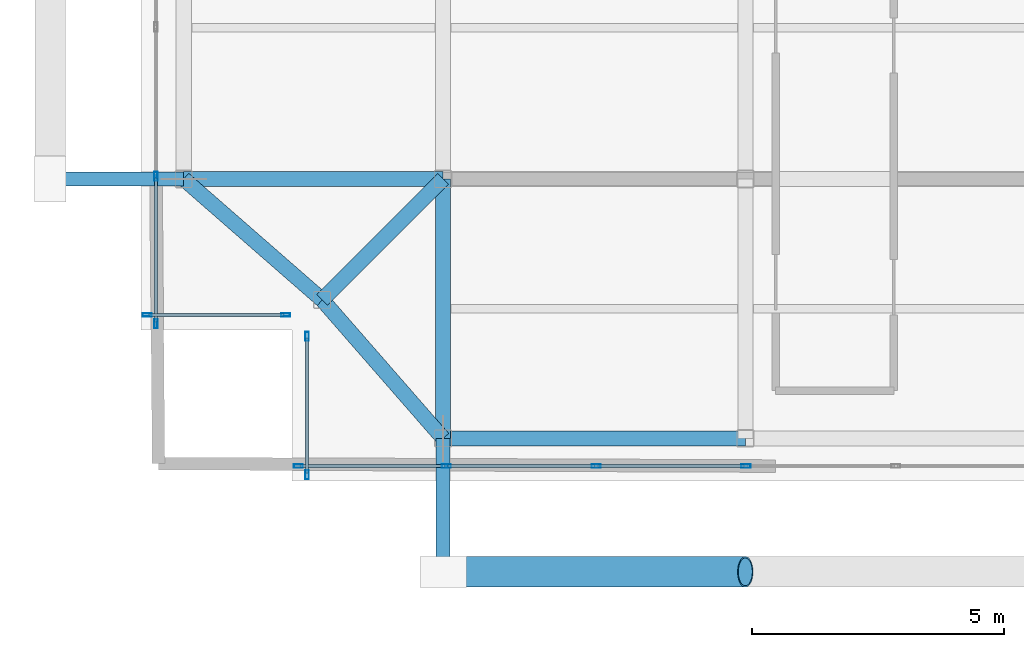
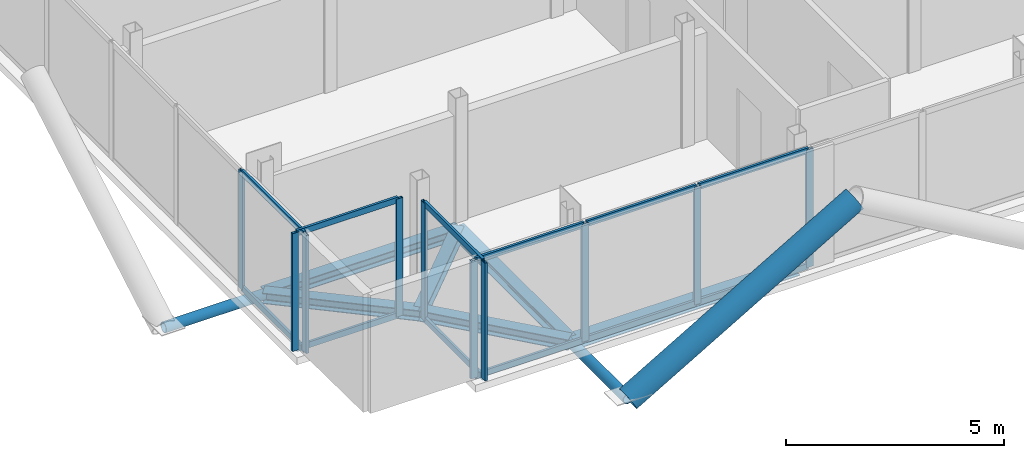
# One storey, part 2 of 19: 25 members, 6 beams, 4 elements without a shape of their own.
"""IFC4 building model written with IfcOpenShell, lengths in metres."""

from ifc_helpers import new_model, si_unit, direction, frame, origin, origin_2d, place, context, subcontext, project, spatial, hollow_rectangle, hollow_circle, i_section, extrude, material, layer, layer_set, material_profile, profile_set, type_object, element, aggregate, save


model = new_model("IFC4")

# Units and contexts
model_context = context("Model", 3, precision=1e-05, world=origin(), true_north=direction((0.0, 1.0)))
body_context = subcontext(model_context, "Body", "Model", "MODEL_VIEW")
ifc_project = project(units=[si_unit("LENGTHUNIT", "METRE"), si_unit("AREAUNIT", "SQUARE_METRE"), si_unit("VOLUMEUNIT", "CUBIC_METRE"), si_unit("PLANEANGLEUNIT", "RADIAN"), si_unit("MASSUNIT", "GRAM", prefix="KILO"), si_unit("THERMODYNAMICTEMPERATUREUNIT", "KELVIN"), si_unit("POWERUNIT", "WATT")], contexts=[model_context])

# Site, building, storey
site_placement = place(None, origin())
site = spatial("IfcSite", under=ifc_project, at=site_placement, CompositionType="ELEMENT")
building_placement = place(site_placement, origin())
building = spatial("IfcBuilding", under=site, at=building_placement, Name="Svarakhadi Broadcast Tower", CompositionType="ELEMENT")
storey_placement = place(building_placement, frame((0.0, 0.0, 285.199951171875)))
storey = spatial("IfcBuildingStorey", under=building, at=storey_placement, Name="L72", CompositionType="ELEMENT", Elevation=285.199951171875)

# Curtain wall, members
ifc_material_1 = material(Name="Anodised Bronze Aluminium AA 6063-T6", Category="aluminium")
ifc_layer = layer(ifc_material_1, 0.179931640625)
ifc_layer_set = layer_set([ifc_layer], Name="Anodised Bronze Aluminium AA 6063-T6")
curtain_wall_type = type_object("IfcCurtainWallType", Name="CW_Sys_05", PredefinedType="NOTDEFINED", material=ifc_layer_set)
curtain_wall_1_placement = place(storey_placement, origin())
curtain_wall_1 = element("IfcCurtainWall", 1, at=curtain_wall_1_placement, inside=storey, type_object=curtain_wall_type, Name="L72 Unitised Facade Curtain Wall 01", PredefinedType="NOTDEFINED")
ifc_material_profile_1 = material_profile(ifc_material_1, hollow_rectangle(XDim=0.070068359375, YDim=0.179931640625, WallThickness=0.005615234375, at=origin_2d()), Name="ALU MULLION 180x70x6")
ifc_profile_set_1 = profile_set([ifc_material_profile_1], Name="Anodised Bronze Aluminium AA 6063-T6")
member_type_1 = type_object("IfcMemberType", Name="CW_Sys_05_Mul", PredefinedType="MULLION", material=ifc_profile_set_1)
member_1_placement = place(storey_placement, frame((2.875, 3.300048828125, 0.0), z_axis=(0.0, 0.0, 1.0), x_axis=(0.0, -1.0, 0.0)))
member_1 = element("IfcMember", 2, at=member_1_placement, type_object=member_type_1, Name="CW-05 mullion 1", PredefinedType="MULLION", context=body_context, shape_type="SweptSolid", body=[
    extrude(hollow_rectangle(XDim=0.070068359375, YDim=0.179931640625, WallThickness=0.005615234375, at=origin_2d()), origin(), (0.0, 0.0, 1.0), 3.300048828125),
])
member_2_placement = place(storey_placement, frame((0.125, 3.300048828125, 0.0), z_axis=(0.0, 0.0, 1.0), x_axis=(0.0, -1.0, 0.0)))
member_2 = element("IfcMember", 3, at=member_2_placement, type_object=member_type_1, Name="CW-05 mullion 2", PredefinedType="MULLION", context=body_context, shape_type="SweptSolid", body=[
    extrude(hollow_rectangle(XDim=0.070068359375, YDim=0.179931640625, WallThickness=0.005615234375, at=origin_2d()), origin(), (0.0, 0.0, 1.0), 3.300048828125),
])

curtain_wall_2_placement = place(storey_placement, origin())
curtain_wall_2 = element("IfcCurtainWall", 4, at=curtain_wall_2_placement, inside=storey, type_object=curtain_wall_type, Name="L72 West Curtain Wall 02", PredefinedType="NOTDEFINED")
member_3_placement = place(storey_placement, frame((0.300048828125, 3.125, 0.0), z_axis=(0.0, 0.0, 1.0), x_axis=(-1.0, 0.0, 0.0)))
member_3 = element("IfcMember", 5, at=member_3_placement, type_object=member_type_1, Name="CW-05 mullion 1", PredefinedType="MULLION", context=body_context, shape_type="SweptSolid", body=[
    extrude(hollow_rectangle(XDim=0.070068359375, YDim=0.179931640625, WallThickness=0.005615234375, at=origin_2d()), origin(), (0.0, 0.0, 1.0), 3.300048828125),
])
member_4_placement = place(storey_placement, frame((0.300048828125, 6.053955078125, 0.0), z_axis=(0.0, 0.0, 1.0), x_axis=(-1.0, 0.0, 0.0)))
member_4 = element("IfcMember", 6, at=member_4_placement, type_object=member_type_1, Name="CW-05 mullion 2", PredefinedType="MULLION", context=body_context, shape_type="SweptSolid", body=[
    extrude(hollow_rectangle(XDim=0.070068359375, YDim=0.179931640625, WallThickness=0.005615234375, at=origin_2d()), origin(), (0.0, 0.0, 1.0), 3.300048828125),
])

curtain_wall_3_placement = place(storey_placement, origin())
curtain_wall_3 = element("IfcCurtainWall", 7, at=curtain_wall_3_placement, inside=storey, type_object=curtain_wall_type, Name="L72 South Curtain Wall 15", PredefinedType="NOTDEFINED")
member_5_placement = place(storey_placement, frame((12.012939453125, 0.300048828125, 0.0), z_axis=(0.0, 0.0, 1.0), x_axis=(0.0, -1.0, 0.0)))
member_5 = element("IfcMember", 8, at=member_5_placement, type_object=member_type_1, Name="CW-05 mullion 5", PredefinedType="MULLION", context=body_context, shape_type="SweptSolid", body=[
    extrude(hollow_rectangle(XDim=0.070068359375, YDim=0.179931640625, WallThickness=0.005615234375, at=origin_2d()), origin(), (0.0, 0.0, 1.0), 3.300048828125),
])
member_6_placement = place(storey_placement, frame((9.03857421875, 0.300048828125, 0.0), z_axis=(0.0, 0.0, 1.0), x_axis=(0.0, -1.0, 0.0)))
member_6 = element("IfcMember", 9, at=member_6_placement, type_object=member_type_1, Name="CW-05 mullion 6", PredefinedType="MULLION", context=body_context, shape_type="SweptSolid", body=[
    extrude(hollow_rectangle(XDim=0.070068359375, YDim=0.179931640625, WallThickness=0.005615234375, at=origin_2d()), origin(), (0.0, 0.0, 1.0), 3.300048828125),
])
member_7_placement = place(storey_placement, frame((6.064208984375, 0.300048828125, 0.0), z_axis=(0.0, 0.0, 1.0), x_axis=(0.0, -1.0, 0.0)))
member_7 = element("IfcMember", 10, at=member_7_placement, type_object=member_type_1, Name="CW-05 mullion 7", PredefinedType="MULLION", context=body_context, shape_type="SweptSolid", body=[
    extrude(hollow_rectangle(XDim=0.070068359375, YDim=0.179931640625, WallThickness=0.005615234375, at=origin_2d()), origin(), (0.0, 0.0, 1.0), 3.300048828125),
])
member_8_placement = place(storey_placement, frame((3.125, 0.300048828125, 0.0), z_axis=(0.0, 0.0, 1.0), x_axis=(0.0, -1.0, 0.0)))
member_8 = element("IfcMember", 11, at=member_8_placement, type_object=member_type_1, Name="CW-05 mullion 8", PredefinedType="MULLION", context=body_context, shape_type="SweptSolid", body=[
    extrude(hollow_rectangle(XDim=0.070068359375, YDim=0.179931640625, WallThickness=0.005615234375, at=origin_2d()), origin(), (0.0, 0.0, 1.0), 3.300048828125),
])

curtain_wall_4_placement = place(storey_placement, origin())
curtain_wall_4 = element("IfcCurtainWall", 12, at=curtain_wall_4_placement, inside=storey, type_object=curtain_wall_type, Name="L72 Unitised Facade Curtain Wall 16", PredefinedType="NOTDEFINED")
member_9_placement = place(storey_placement, frame((3.300048828125, 0.125, 0.0), z_axis=(0.0, 0.0, 1.0), x_axis=(-1.0, 0.0, 0.0)))
member_9 = element("IfcMember", 13, at=member_9_placement, type_object=member_type_1, Name="CW-05 mullion 1", PredefinedType="MULLION", context=body_context, shape_type="SweptSolid", body=[
    extrude(hollow_rectangle(XDim=0.070068359375, YDim=0.179931640625, WallThickness=0.005615234375, at=origin_2d()), origin(), (0.0, 0.0, 1.0), 3.300048828125),
])
member_10_placement = place(storey_placement, frame((3.300048828125, 2.875, 0.0), z_axis=(0.0, 0.0, 1.0), x_axis=(-1.0, 0.0, 0.0)))
member_10 = element("IfcMember", 14, at=member_10_placement, type_object=member_type_1, Name="CW-05 mullion 2", PredefinedType="MULLION", context=body_context, shape_type="SweptSolid", body=[
    extrude(hollow_rectangle(XDim=0.070068359375, YDim=0.179931640625, WallThickness=0.005615234375, at=origin_2d()), origin(), (0.0, 0.0, 1.0), 3.300048828125),
])

# Member
ifc_material_profile_2 = material_profile(ifc_material_1, hollow_rectangle(XDim=0.06494140625, YDim=0.1650390625, WallThickness=0.0048828125, at=origin_2d()), Name="ALU TRANSOM 165x65x5")
ifc_profile_set_2 = profile_set([ifc_material_profile_2], Name="Anodised Bronze Aluminium AA 6063-T6")
member_type_2 = type_object("IfcMemberType", Name="CW_Sys_05_Trn", PredefinedType="USERDEFINED", material=ifc_profile_set_2)
member_11_placement = place(storey_placement, frame((2.840087890625, 3.300048828125, 0.032470703125), z_axis=(-1.0, 0.0, 0.0), x_axis=(0.0, -1.0, 0.0)))
member_11 = element("IfcMember", 15, at=member_11_placement, type_object=member_type_2, Name="CW-05 transom 1.1", ObjectType="TRANSOM", PredefinedType="USERDEFINED", context=body_context, shape_type="SweptSolid", body=[
    extrude(hollow_rectangle(XDim=0.06494140625, YDim=0.1650390625, WallThickness=0.0048828125, at=origin_2d()), origin(), (0.0, 0.0, 1.0), 2.68017578125),
])

member_12_placement = place(storey_placement, frame((2.840087890625, 3.300048828125, 3.267578125), z_axis=(-1.0, 0.0, 0.0), x_axis=(0.0, -1.0, 0.0)))
member_12 = element("IfcMember", 16, at=member_12_placement, type_object=member_type_2, Name="CW-05 transom 1.2", ObjectType="TRANSOM", PredefinedType="USERDEFINED", context=body_context, shape_type="SweptSolid", body=[
    extrude(hollow_rectangle(XDim=0.06494140625, YDim=0.1650390625, WallThickness=0.0048828125, at=origin_2d()), origin(), (0.0, 0.0, 1.0), 2.68017578125),
])

aggregate(curtain_wall_1, [member_1, member_2, member_11, member_12])

member_13_placement = place(storey_placement, frame((0.300048828125, 3.159912109375, 0.032470703125), z_axis=(0.0, 1.0, 0.0), x_axis=(-1.0, 0.0, 0.0)))
member_13 = element("IfcMember", 17, at=member_13_placement, type_object=member_type_2, Name="CW-05 transom 1.1", ObjectType="TRANSOM", PredefinedType="USERDEFINED", context=body_context, shape_type="SweptSolid", body=[
    extrude(hollow_rectangle(XDim=0.06494140625, YDim=0.1650390625, WallThickness=0.0048828125, at=origin_2d()), origin(), (0.0, 0.0, 1.0), 2.859130859375),
])

member_14_placement = place(storey_placement, frame((0.300048828125, 3.159912109375, 3.267578125), z_axis=(0.0, 1.0, 0.0), x_axis=(-1.0, 0.0, 0.0)))
member_14 = element("IfcMember", 18, at=member_14_placement, type_object=member_type_2, Name="CW-05 transom 1.2", ObjectType="TRANSOM", PredefinedType="USERDEFINED", context=body_context, shape_type="SweptSolid", body=[
    extrude(hollow_rectangle(XDim=0.06494140625, YDim=0.1650390625, WallThickness=0.0048828125, at=origin_2d()), origin(), (0.0, 0.0, 1.0), 2.859130859375),
])

aggregate(curtain_wall_2, [member_3, member_4, member_13, member_14])

member_15_placement = place(storey_placement, frame((11.977783203125, 0.300048828125, 0.032470703125), z_axis=(-1.0, 0.0, 0.0), x_axis=(0.0, -1.0, 0.0)))
member_15 = element("IfcMember", 19, at=member_15_placement, type_object=member_type_2, Name="CW-05 transom 5.1", ObjectType="TRANSOM", PredefinedType="USERDEFINED", context=body_context, shape_type="SweptSolid", body=[
    extrude(hollow_rectangle(XDim=0.06494140625, YDim=0.1650390625, WallThickness=0.0048828125, at=origin_2d()), origin(), (0.0, 0.0, 1.0), 2.904296875),
])

member_16_placement = place(storey_placement, frame((11.977783203125, 0.300048828125, 3.267578125), z_axis=(-1.0, 0.0, 0.0), x_axis=(0.0, -1.0, 0.0)))
member_16 = element("IfcMember", 20, at=member_16_placement, type_object=member_type_2, Name="CW-05 transom 5.2", ObjectType="TRANSOM", PredefinedType="USERDEFINED", context=body_context, shape_type="SweptSolid", body=[
    extrude(hollow_rectangle(XDim=0.06494140625, YDim=0.1650390625, WallThickness=0.0048828125, at=origin_2d()), origin(), (0.0, 0.0, 1.0), 2.904296875),
])

member_17_placement = place(storey_placement, frame((9.003662109375, 0.300048828125, 0.032470703125), z_axis=(-1.0, 0.0, 0.0), x_axis=(0.0, -1.0, 0.0)))
member_17 = element("IfcMember", 21, at=member_17_placement, type_object=member_type_2, Name="CW-05 transom 6.1", ObjectType="TRANSOM", PredefinedType="USERDEFINED", context=body_context, shape_type="SweptSolid", body=[
    extrude(hollow_rectangle(XDim=0.06494140625, YDim=0.1650390625, WallThickness=0.0048828125, at=origin_2d()), origin(), (0.0, 0.0, 1.0), 2.904296875),
])

member_18_placement = place(storey_placement, frame((9.003662109375, 0.300048828125, 3.267578125), z_axis=(-1.0, 0.0, 0.0), x_axis=(0.0, -1.0, 0.0)))
member_18 = element("IfcMember", 22, at=member_18_placement, type_object=member_type_2, Name="CW-05 transom 6.2", ObjectType="TRANSOM", PredefinedType="USERDEFINED", context=body_context, shape_type="SweptSolid", body=[
    extrude(hollow_rectangle(XDim=0.06494140625, YDim=0.1650390625, WallThickness=0.0048828125, at=origin_2d()), origin(), (0.0, 0.0, 1.0), 2.904296875),
])

member_19_placement = place(storey_placement, frame((6.029296875, 0.300048828125, 0.032470703125), z_axis=(-1.0, 0.0, 0.0), x_axis=(0.0, -1.0, 0.0)))
member_19 = element("IfcMember", 23, at=member_19_placement, type_object=member_type_2, Name="CW-05 transom 7.1", ObjectType="TRANSOM", PredefinedType="USERDEFINED", context=body_context, shape_type="SweptSolid", body=[
    extrude(hollow_rectangle(XDim=0.06494140625, YDim=0.1650390625, WallThickness=0.0048828125, at=origin_2d()), origin(), (0.0, 0.0, 1.0), 2.869384765625),
])

member_20_placement = place(storey_placement, frame((6.029296875, 0.300048828125, 3.267578125), z_axis=(-1.0, 0.0, 0.0), x_axis=(0.0, -1.0, 0.0)))
member_20 = element("IfcMember", 24, at=member_20_placement, type_object=member_type_2, Name="CW-05 transom 7.2", ObjectType="TRANSOM", PredefinedType="USERDEFINED", context=body_context, shape_type="SweptSolid", body=[
    extrude(hollow_rectangle(XDim=0.06494140625, YDim=0.1650390625, WallThickness=0.0048828125, at=origin_2d()), origin(), (0.0, 0.0, 1.0), 2.869384765625),
])

aggregate(curtain_wall_3, [member_5, member_6, member_7, member_8, member_15, member_16, member_17, member_18, member_19, member_20])

member_21_placement = place(storey_placement, frame((3.300048828125, 0.159912109375, 0.032470703125), z_axis=(0.0, 1.0, 0.0), x_axis=(-1.0, 0.0, 0.0)))
member_21 = element("IfcMember", 25, at=member_21_placement, type_object=member_type_2, Name="CW-05 transom 1.1", ObjectType="TRANSOM", PredefinedType="USERDEFINED", context=body_context, shape_type="SweptSolid", body=[
    extrude(hollow_rectangle(XDim=0.06494140625, YDim=0.1650390625, WallThickness=0.0048828125, at=origin_2d()), origin(), (0.0, 0.0, 1.0), 2.68017578125),
])

member_22_placement = place(storey_placement, frame((3.300048828125, 0.159912109375, 3.267578125), z_axis=(0.0, 1.0, 0.0), x_axis=(-1.0, 0.0, 0.0)))
member_22 = element("IfcMember", 26, at=member_22_placement, type_object=member_type_2, Name="CW-05 transom 1.2", ObjectType="TRANSOM", PredefinedType="USERDEFINED", context=body_context, shape_type="SweptSolid", body=[
    extrude(hollow_rectangle(XDim=0.06494140625, YDim=0.1650390625, WallThickness=0.0048828125, at=origin_2d()), origin(), (0.0, 0.0, 1.0), 2.68017578125),
])

aggregate(curtain_wall_4, [member_9, member_10, member_21, member_22])

# Members
ifc_material_2 = material(Name="Steel S460ML (IS 2062 E450BR)", Category="steel")
ifc_material_profile_3 = material_profile(ifc_material_2, hollow_circle(Radius=0.304931640625, WallThickness=0.030029296875, at=origin_2d()), Name="CHS 610x30")
ifc_profile_set_3 = profile_set([ifc_material_profile_3], Name="Steel S460ML (IS 2062 E450BR)")
member_type_3 = type_object("IfcMemberType", Name="Exo_Brace_CHS610", PredefinedType="BRACE", material=ifc_profile_set_3)
member_23_placement = place(storey_placement, frame((6.0, -1.800048828125, -0.33642578125), z_axis=(0.863778900898, 0.0, 0.503871025524), x_axis=(0.0, 1.0, 0.0)))
element("IfcMember", 27, at=member_23_placement, inside=storey, type_object=member_type_3, Name="L72 Exposed Bronze Exoskeleton Diagonal S01", PredefinedType="BRACE", context=body_context, shape_type="SweptSolid", body=[
    extrude(hollow_circle(Radius=0.304931640625, WallThickness=0.030029296875, at=origin_2d()), origin(), (0.0, 0.0, 1.0), 6.9462890625),
])
ifc_material_profile_4 = material_profile(ifc_material_2, hollow_circle(Radius=0.136474609375, WallThickness=0.012451171875, at=origin_2d()), Name="CHS 273x12.5")
ifc_profile_set_4 = profile_set([ifc_material_profile_4], Name="Steel S460ML (IS 2062 E450BR)")
member_type_4 = type_object("IfcMemberType", Name="Exo_Radial_Strut_Z3", PredefinedType="STRUT", material=ifc_profile_set_4)
for number, where, z_axis, x_axis, name in (
    (28, (6.0, -1.800048828125, -0.33642578125), (0.0, 1.0, 0.0), (-1.0, 0.0, 0.0), "L72 Exoskeleton Radial Tie Strut S01"),
    (29, (-1.800048828125, 6.0, -0.33642578125), (1.0, 0.0, 0.0), (0.0, 1.0, 0.0), "L72 Exoskeleton Radial Tie Strut W04"),
):
    element("IfcMember", number, at=place(storey_placement, frame(where, z_axis=z_axis, x_axis=x_axis)), inside=storey, type_object=member_type_4, Name=name, PredefinedType="STRUT", context=body_context, shape_type="SweptSolid", body=[
        extrude(hollow_circle(Radius=0.136474609375, WallThickness=0.012451171875, at=origin_2d()), origin(), (0.0, 0.0, 1.0), 2.650146484375),
    ])

# Beams
ifc_material_3 = material(Name="Steel S355J2 (IS 2062 E350C)", Category="steel")
ifc_material_profile_5 = material_profile(ifc_material_3, i_section(OverallWidth=0.300048828125, OverallDepth=0.300048828125, WebThickness=0.010986328125, FlangeThickness=0.01904296875, FilletRadius=0.027099609375, at=origin_2d()), Name="WPB 300x300x117")
ifc_profile_set_5 = profile_set([ifc_material_profile_5], Name="Steel S355J2 (IS 2062 E350C)")
beam_type = type_object("IfcBeamType", Name="Girder_WPB300", PredefinedType="USERDEFINED", material=ifc_profile_set_5)
beam_1_placement = place(storey_placement, frame((3.60009765625, 3.60009765625, -0.349853515625), z_axis=(0.707106781187, 0.707106781187, 0.0), x_axis=(-0.707106781187, 0.707106781187, 0.0)))
element("IfcBeam", 30, at=beam_1_placement, inside=storey, type_object=beam_type, Name="L72 Corner Tie Girder G001", ObjectType="GIRDER", PredefinedType="USERDEFINED", context=body_context, shape_type="SweptSolid", body=[
    extrude(i_section(OverallWidth=0.300048828125, OverallDepth=0.300048828125, WebThickness=0.010986328125, FlangeThickness=0.01904296875, FilletRadius=0.027099609375, at=origin_2d()), origin(), (0.0, 0.0, 1.0), 3.39404296875),
])
for number, where, z_axis, x_axis, name in (
    (31, (3.60009765625, 3.60009765625, -0.349853515625), (-0.753437912176, 0.657519058655, 0.0), (-0.657519058655, -0.753437912176, 0.0), "L72 Corner Tie Girder G002"),
    (32, (3.60009765625, 3.60009765625, -0.349853515625), (0.657519058655, -0.753437912176, 0.0), (0.753437912176, 0.657519058655, 0.0), "L72 Corner Tie Girder G003"),
):
    element("IfcBeam", number, at=place(storey_placement, frame(where, z_axis=z_axis, x_axis=x_axis)), inside=storey, type_object=beam_type, Name=name, ObjectType="GIRDER", PredefinedType="USERDEFINED", context=body_context, shape_type="SweptSolid", body=[
        extrude(i_section(OverallWidth=0.300048828125, OverallDepth=0.300048828125, WebThickness=0.010986328125, FlangeThickness=0.01904296875, FilletRadius=0.027099609375, at=origin_2d()), origin(), (0.0, 0.0, 1.0), 3.64990234375),
    ])
beam_2_placement = place(storey_placement, frame((6.0, 0.85009765625, -0.349853515625), z_axis=(1.0, 0.0, 0.0), x_axis=(0.0, 1.0, 0.0)))
element("IfcBeam", 33, at=beam_2_placement, inside=storey, type_object=beam_type, Name="L72 Primary E-W Girder G004", ObjectType="GIRDER", PredefinedType="USERDEFINED", context=body_context, shape_type="SweptSolid", body=[
    extrude(i_section(OverallWidth=0.300048828125, OverallDepth=0.300048828125, WebThickness=0.010986328125, FlangeThickness=0.01904296875, FilletRadius=0.027099609375, at=origin_2d()), origin(), (0.0, 0.0, 1.0), 6.0),
])
for number, where, z_axis, x_axis, name in (
    (34, (0.85009765625, 6.0, -0.349853515625), (1.0, 0.0, 0.0), (0.0, 1.0, 0.0), "L72 Primary E-W Girder G008"),
    (35, (6.0, 0.85009765625, -0.349853515625), (0.0, 1.0, 0.0), (-1.0, 0.0, 0.0), "L72 Primary N-S Girder G029"),
):
    element("IfcBeam", number, at=place(storey_placement, frame(where, z_axis=z_axis, x_axis=x_axis)), inside=storey, type_object=beam_type, Name=name, ObjectType="GIRDER", PredefinedType="USERDEFINED", context=body_context, shape_type="SweptSolid", body=[
        extrude(i_section(OverallWidth=0.300048828125, OverallDepth=0.300048828125, WebThickness=0.010986328125, FlangeThickness=0.01904296875, FilletRadius=0.027099609375, at=origin_2d()), origin(), (0.0, 0.0, 1.0), 5.14990234375),
    ])

save(model, "model.ifc")
